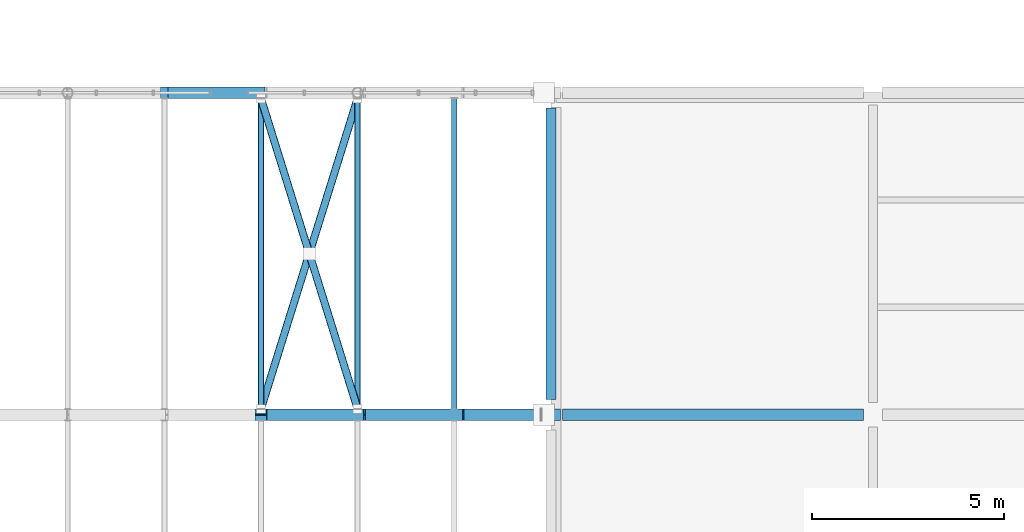
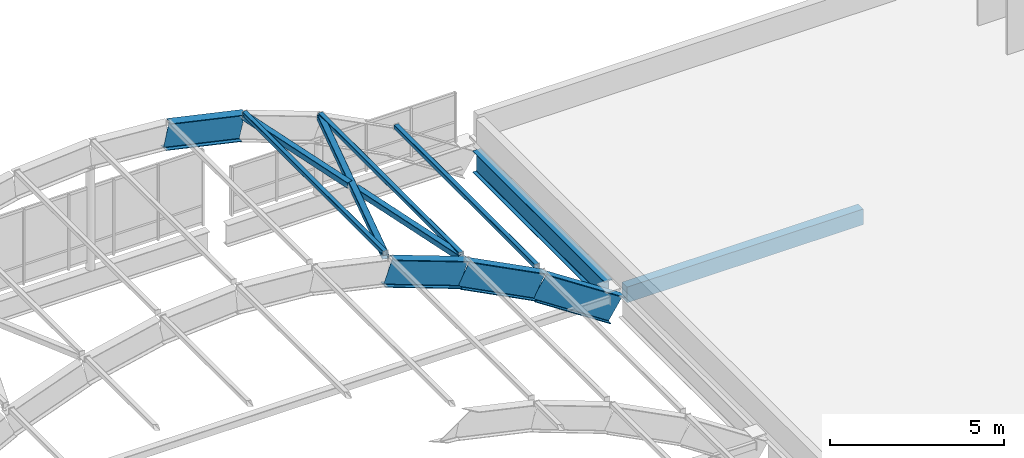
# One storey, part 17 of 130: 6 beams, 6 members.
"""IFC4 building model written with IfcOpenShell, lengths in metres."""

from ifc_helpers import new_model, si_unit, direction, frame, origin, origin_2d, place, context, subcontext, project, spatial, rectangle, hollow_rectangle, i_section, extrude, material, material_profile, profile_set, type_object, element, save


model = new_model("IFC4")

# Units and contexts
model_context = context("Model", 3, precision=1e-05, world=origin(), true_north=direction((0.0, 1.0)))
body_context = subcontext(model_context, "Body", "Model", "MODEL_VIEW")
ifc_project = project(units=[si_unit("LENGTHUNIT", "METRE"), si_unit("AREAUNIT", "SQUARE_METRE"), si_unit("VOLUMEUNIT", "CUBIC_METRE"), si_unit("PLANEANGLEUNIT", "RADIAN"), si_unit("MASSUNIT", "GRAM", prefix="KILO")], contexts=[model_context])

# Site, building, storey
site_placement = place(None, origin())
site = spatial("IfcSite", under=ifc_project, at=site_placement, CompositionType="ELEMENT")
building_placement = place(site_placement, origin())
building = spatial("IfcBuilding", under=site, at=building_placement, Name="Vireocrest Preparatory School", CompositionType="ELEMENT")
storey_placement = place(building_placement, frame((0.0, 0.0, 9.0)))
storey = spatial("IfcBuildingStorey", under=building, at=storey_placement, Name="L02", CompositionType="ELEMENT", Elevation=9.0)

# Members
ifc_material_1 = material(Name="Structural steel ASTM A500 Grade C", Category="steel")
ifc_material_profile_1 = material_profile(ifc_material_1, hollow_rectangle(XDim=0.15234375, YDim=0.15234375, WallThickness=0.0087890625, InnerFilletRadius=0.0087890625, OuterFilletRadius=0.017822265625, at=origin_2d()), Name="HSS6X6X3/8")
ifc_profile_set_1 = profile_set([ifc_material_profile_1], Name="Structural steel ASTM A500 Grade C")
member_type_1 = type_object("IfcMemberType", Name="Barrel Vault Steel Purlin HSS6X6X3/8", PredefinedType="PURLIN", material=ifc_profile_set_1)
for number, where, z_axis, x_axis, name in (
    (1, (17.639892578125, 43.947509765625, 3.552001953125), (0.0, 1.0, 0.0), (-1.0, 0.0, 0.0), "Sports Hall Barrel Vault Roof Purlin 5-8"),
    (2, (20.159912109375, 43.947509765625, 2.620849609375), (0.0, 1.0, 0.0), (-1.0, 0.0, 0.0), "Sports Hall Barrel Vault Roof Purlin 5-9"),
    (3, (22.679931640625, 43.947509765625, 1.32177734375), (0.0, 1.0, 0.0), (-1.0, 0.0, 0.0), "Sports Hall Barrel Vault Roof Purlin 5-10"),
):
    element("IfcMember", number, at=place(storey_placement, frame(where, z_axis=z_axis, x_axis=x_axis)), inside=storey, type_object=member_type_1, Name=name, PredefinedType="PURLIN", context=body_context, shape_type="SweptSolid", body=[
        extrude(hollow_rectangle(XDim=0.15234375, YDim=0.15234375, WallThickness=0.0087890625, InnerFilletRadius=0.0087890625, OuterFilletRadius=0.017822265625, at=origin_2d()), origin(), (0.0, 0.0, 1.0), 8.10498046875),
    ])

# Beams
ifc_material_2 = material(Name="Concrete 40 MPa", Category="concrete")
ifc_material_profile_2 = material_profile(ifc_material_2, rectangle(XDim=0.300048828125, YDim=0.550048828125, at=origin_2d()), Name="RC 300x550")
ifc_profile_set_2 = profile_set([ifc_material_profile_2], Name="Concrete 40 MPa")
beam_type_1 = type_object("IfcBeamType", Name="RC Roof Girder 300x550", PredefinedType="BEAM", material=ifc_profile_set_2)
beam_1_placement = place(storey_placement, frame((25.5, 43.800048828125, -0.4951171875), z_axis=(1.0, 0.0, 0.0), x_axis=(0.0, 1.0, 0.0)))
element("IfcBeam", 4, at=beam_1_placement, inside=storey, type_object=beam_type_1, Name="Primary Girder B02 L02-0714", PredefinedType="BEAM", context=body_context, shape_type="SweptSolid", body=[
    extrude(rectangle(XDim=0.300048828125, YDim=0.550048828125, at=origin_2d()), origin(), (0.0, 0.0, 1.0), 7.85009765625),
])
ifc_material_3 = material(Name="Structural steel ASTM A992 Grade 50", Category="steel")
ifc_material_profile_3 = material_profile(ifc_material_3, i_section(OverallWidth=0.304931640625, OverallDepth=0.904052734375, WebThickness=0.01513671875, FlangeThickness=0.02001953125, FilletRadius=0.02392578125, at=origin_2d()), Name="W36X135")
ifc_profile_set_3 = profile_set([ifc_material_profile_3], Name="Structural steel ASTM A992 Grade 50")
beam_type_2 = type_object("IfcBeamType", Name="Sports Hall Barrel Vault Arch Rib W36X135", PredefinedType="BEAM", material=ifc_profile_set_3)
beam_2_placement = place(storey_placement, frame((15.1201171875, 52.199951171875, 3.588134765625), z_axis=(0.975937226942, 0.0, -0.218051666053), x_axis=(0.0, 1.0, 0.0)))
element("IfcBeam", 5, at=beam_2_placement, inside=storey, type_object=beam_type_2, Name="Sports Hall Barrel Vault Roof Arch Rib 6 Seg 7", PredefinedType="BEAM", context=body_context, shape_type="SweptSolid", body=[
    extrude(i_section(OverallWidth=0.304931640625, OverallDepth=0.904052734375, WebThickness=0.01513671875, FlangeThickness=0.02001953125, FilletRadius=0.02392578125, at=origin_2d()), origin(), (0.0, 0.0, 1.0), 2.581787109375),
])
ifc_material_profile_4 = material_profile(ifc_material_3, i_section(OverallWidth=0.304931640625, OverallDepth=0.912109375, WebThickness=0.015869140625, FlangeThickness=0.02392578125, FilletRadius=0.02392578125, at=origin_2d()), Name="W36X150")
ifc_profile_set_4 = profile_set([ifc_material_profile_4], Name="Structural steel ASTM A992 Grade 50")
beam_type_3 = type_object("IfcBeamType", Name="Sports Hall Barrel Vault Arch Rib W36X150", PredefinedType="BEAM", material=ifc_profile_set_4)
beam_3_placement = place(storey_placement, frame((17.639892578125, 43.800048828125, 3.002197265625), z_axis=(0.938043310504, 0.0, -0.346518033613), x_axis=(0.0, 1.0, 0.0)))
element("IfcBeam", 6, at=beam_3_placement, inside=storey, type_object=beam_type_3, Name="Sports Hall Barrel Vault Roof Arch Rib 5 Seg 8", PredefinedType="BEAM", context=body_context, shape_type="SweptSolid", body=[
    extrude(i_section(OverallWidth=0.304931640625, OverallDepth=0.912109375, WebThickness=0.015869140625, FlangeThickness=0.02392578125, FilletRadius=0.02392578125, at=origin_2d()), origin(), (0.0, 0.0, 1.0), 2.6865234375),
])
beam_4_placement = place(storey_placement, frame((20.159912109375, 43.800048828125, 2.04443359375), z_axis=(0.888848104135, 0.0, -0.458201972689), x_axis=(0.0, 1.0, 0.0)))
element("IfcBeam", 7, at=beam_4_placement, inside=storey, type_object=beam_type_3, Name="Sports Hall Barrel Vault Roof Arch Rib 5 Seg 9", PredefinedType="BEAM", context=body_context, shape_type="SweptSolid", body=[
    extrude(i_section(OverallWidth=0.304931640625, OverallDepth=0.912109375, WebThickness=0.015869140625, FlangeThickness=0.02392578125, FilletRadius=0.02392578125, at=origin_2d()), origin(), (0.0, 0.0, 1.0), 2.835205078125),
])
beam_5_placement = place(storey_placement, frame((22.679931640625, 43.800048828125, 0.7119140625), z_axis=(0.835706541366, 0.0, -0.54917627108), x_axis=(0.0, 1.0, 0.0)))
element("IfcBeam", 8, at=beam_5_placement, inside=storey, type_object=beam_type_3, Name="Sports Hall Barrel Vault Roof Arch Rib 5 Seg 10", PredefinedType="BEAM", context=body_context, shape_type="SweptSolid", body=[
    extrude(i_section(OverallWidth=0.304931640625, OverallDepth=0.912109375, WebThickness=0.015869140625, FlangeThickness=0.02392578125, FilletRadius=0.02392578125, at=origin_2d()), origin(), (0.0, 0.0, 1.0), 3.015380859375),
])
ifc_material_profile_5 = material_profile(ifc_material_3, i_section(OverallWidth=0.26708984375, OverallDepth=0.758056640625, WebThickness=0.013916015625, FlangeThickness=0.019287109375, FilletRadius=0.01904296875, at=origin_2d()), Name="W30X108")
ifc_profile_set_5 = profile_set([ifc_material_profile_5], Name="Structural steel ASTM A992 Grade 50")
beam_type_4 = type_object("IfcBeamType", Name="Sports Hall Vault Ring Beam W30X108", PredefinedType="BEAM", material=ifc_profile_set_5)
beam_6_placement = place(storey_placement, frame((25.199951171875, 44.199951171875, -0.59912109375), z_axis=(0.0, 1.0, 0.0), x_axis=(-1.0, 0.0, 0.0)))
element("IfcBeam", 9, at=beam_6_placement, inside=storey, type_object=beam_type_4, Name="Sports Hall Barrel Vault Roof Ring Beam E 43.8-52.2", PredefinedType="BEAM", context=body_context, shape_type="SweptSolid", body=[
    extrude(i_section(OverallWidth=0.26708984375, OverallDepth=0.758056640625, WebThickness=0.013916015625, FlangeThickness=0.019287109375, FilletRadius=0.01904296875, at=origin_2d()), origin(), (0.0, 0.0, 1.0), 7.60009765625),
])

# Members
ifc_material_profile_6 = material_profile(ifc_material_1, hollow_rectangle(XDim=0.203125, YDim=0.203125, WallThickness=0.0087890625, InnerFilletRadius=0.0087890625, OuterFilletRadius=0.017822265625, at=origin_2d()), Name="HSS8X8X3/8")
ifc_profile_set_6 = profile_set([ifc_material_profile_6], Name="Structural steel ASTM A500 Grade C")
member_type_2 = type_object("IfcMemberType", Name="Vault Roof Wind X-Brace HSS8X8X3/8", PredefinedType="BRACE", material=ifc_profile_set_6)
member_1_placement = place(storey_placement, frame((17.639892578125, 43.952392578125, 3.44970703125), z_axis=(0.295494449886, 0.949235125878, -0.107868929197), x_axis=(-0.954806302093, 0.297228742693, 0.0)))
element("IfcMember", 10, at=member_1_placement, inside=storey, type_object=member_type_2, Name="Sports Hall Barrel Vault Roof Roof Wind Brace 5-8", PredefinedType="BRACE", context=body_context, shape_type="SweptSolid", body=[
    extrude(hollow_rectangle(XDim=0.203125, YDim=0.203125, WallThickness=0.0087890625, InnerFilletRadius=0.0087890625, OuterFilletRadius=0.017822265625, at=origin_2d()), origin(), (0.0, 0.0, 1.0), 8.528076171875),
])
member_2_placement = place(storey_placement, frame((17.639892578125, 52.047607421875, 3.44970703125), z_axis=(0.295506663199, -0.949235432507, -0.107832767187), x_axis=(0.95480284286, 0.297239854776, 0.0)))
element("IfcMember", 11, at=member_2_placement, inside=storey, type_object=member_type_2, Name="Sports Hall Barrel Vault Roof Split Roof X-Brace 5-8-1", PredefinedType="BRACE", context=body_context, shape_type="SweptSolid", body=[
    extrude(hollow_rectangle(XDim=0.203125, YDim=0.203125, WallThickness=0.0087890625, InnerFilletRadius=0.0087890625, OuterFilletRadius=0.017822265625, at=origin_2d()), origin(), (0.0, 0.0, 1.0), 4.13427734375),
])
member_3_placement = place(storey_placement, frame((18.9384765625, 47.876708984375, 2.975830078125), z_axis=(0.295450882553, -0.949245949663, -0.107893016675), x_axis=(0.954819699794, 0.297185701012, 0.0)))
element("IfcMember", 12, at=member_3_placement, inside=storey, type_object=member_type_2, Name="Sports Hall Barrel Vault Roof Split Roof X-Brace 5-8-2", PredefinedType="BRACE", context=body_context, shape_type="SweptSolid", body=[
    extrude(hollow_rectangle(XDim=0.203125, YDim=0.203125, WallThickness=0.0087890625, InnerFilletRadius=0.0087890625, OuterFilletRadius=0.017822265625, at=origin_2d()), origin(), (0.0, 0.0, 1.0), 4.134033203125),
])

save(model, "model.ifc")
